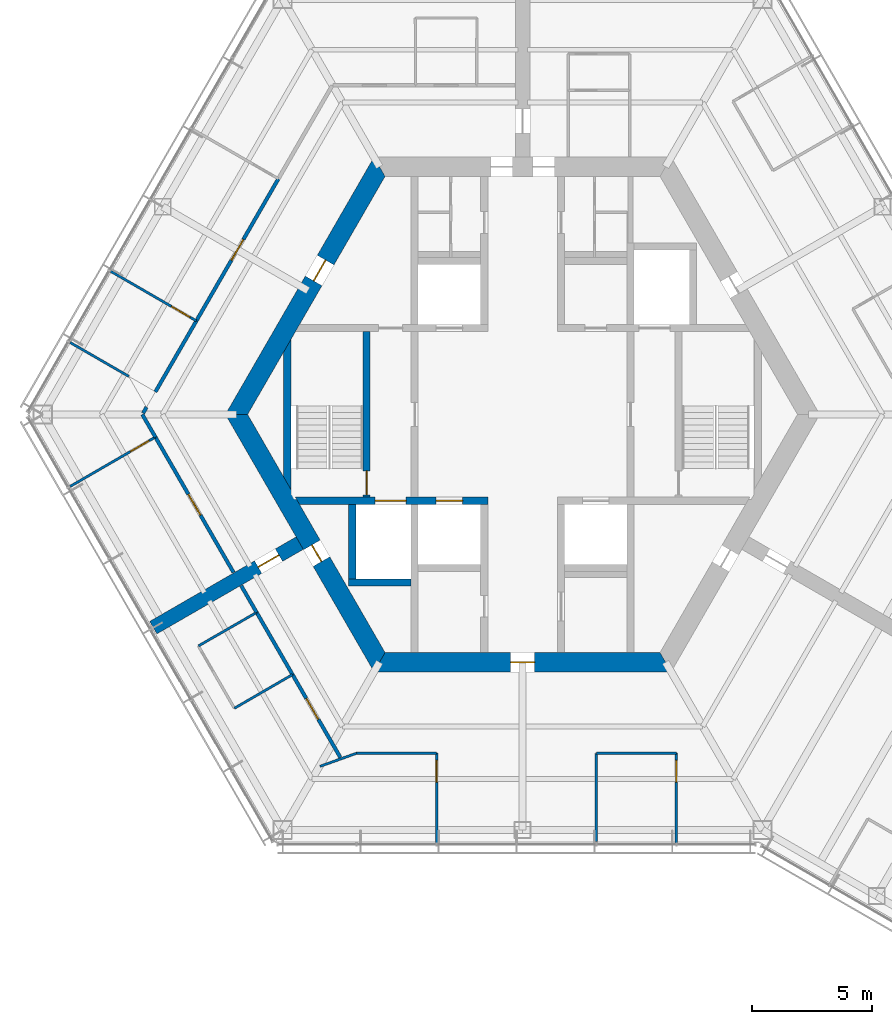
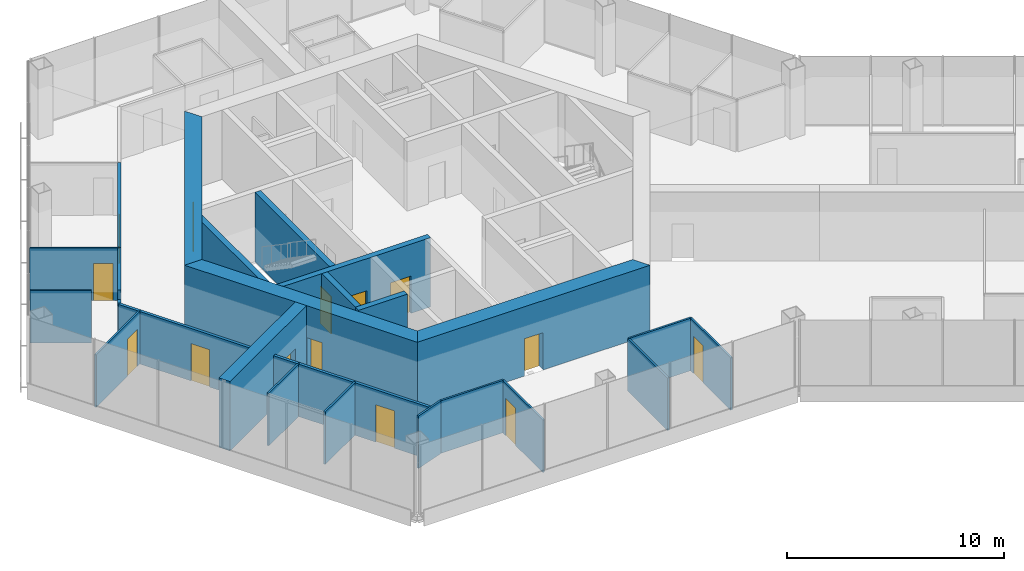
# One storey, part 10 of 16: 28 walls, 14 doors, 14 openings.
"""IFC4 building model written with IfcOpenShell, lengths in metres."""

from ifc_helpers import new_model, si_unit, direction, frame, frame_2d, origin, place, context, subcontext, project, spatial, polyline, rectangle, outline, extrude, material, layer, layer_set, type_object, element, fill, save


model = new_model("IFC4")

# Units and contexts
model_context = context("Model", 3, precision=1e-05, world=origin(), true_north=direction((0.0, 1.0)))
body_context = subcontext(model_context, "Body", "Model", "MODEL_VIEW")
ifc_project = project(units=[si_unit("LENGTHUNIT", "METRE"), si_unit("AREAUNIT", "SQUARE_METRE"), si_unit("VOLUMEUNIT", "CUBIC_METRE"), si_unit("PLANEANGLEUNIT", "RADIAN"), si_unit("MASSUNIT", "GRAM", prefix="KILO")], contexts=[model_context])

# Site, building, storey
site_placement = place(None, origin())
site = spatial("IfcSite", under=ifc_project, at=site_placement, CompositionType="ELEMENT")
building_placement = place(site_placement, origin())
building = spatial("IfcBuilding", under=site, at=building_placement, Name="Kasaneha Research Tower", CompositionType="ELEMENT")
storey_placement = place(building_placement, frame((0.0, 0.0, 255.699951171875)))
storey = spatial("IfcBuildingStorey", under=building, at=storey_placement, Name="L64", CompositionType="ELEMENT", Elevation=255.699951171875)

# Wall, openings, doors
ifc_material_1 = material(Name="Concrete Fc60", Category="concrete")
ifc_layer_1 = layer(ifc_material_1, 0.300048828125)
ifc_layer_set_1 = layer_set([ifc_layer_1], Name="Core internal wall 300 Fc60")
wall_type_1 = type_object("IfcWallType", Name="Core internal wall 300 Fc60", PredefinedType="SHEAR", material=ifc_layer_set_1)
wall_1_placement = place(storey_placement, frame((-9.3818359375, -3.60009765625, 0.0), z_axis=(0.0, 0.0, 1.0), x_axis=(1.0, 0.0, 0.0)))
wall_1 = element("IfcWall", 1, at=wall_1_placement, inside=storey, type_object=wall_type_1, Name="Core wall W2W L64", PredefinedType="SHEAR", context=body_context, shape_type="SweptSolid", body=[
    extrude(outline(polyline([(0.086669921875, -0.14990234375), (3.23193359375, -0.14990234375), (4.531982421875, -0.14990234375), (5.781982421875, -0.14990234375), (6.882080078125, -0.14990234375), (7.931884765625, -0.14990234375), (7.931884765625, 0.14990234375), (6.882080078125, 0.14990234375), (5.781982421875, 0.14990234375), (4.531982421875, 0.14990234375), (3.23193359375, 0.14990234375), (-0.086669921875, 0.14990234375), (0.086669921875, -0.14990234375)])), origin(), (0.0, 0.0, 1.0), 3.900146484375),
])
opening_1_placement = place(wall_1_placement, frame((5.781982421875, 0.0, 0.0)))
opening_1 = element("IfcOpeningElement", 2, at=opening_1_placement, cuts=wall_1, Name="Opening LD-LH1-L64", PredefinedType="OPENING", context=body_context, shape_type="SweptSolid", body=[
    extrude(rectangle(XDim=1.10009765625, YDim=2.10009765625, at=frame_2d((0.550048828125, 1.050048828125))), frame((0.0, 0.16015625, 0.0), z_axis=(0.0, -1.0, 0.0), x_axis=(1.0, 0.0, 0.0)), (0.0, 0.0, 1.0), 0.320068359375),
])
opening_2_placement = place(wall_1_placement, frame((3.23193359375, 0.0, 0.0)))
opening_2 = element("IfcOpeningElement", 3, at=opening_2_placement, cuts=wall_1, Name="Opening LD-FL2-L64", PredefinedType="OPENING", context=body_context, shape_type="SweptSolid", body=[
    extrude(rectangle(XDim=1.300048828125, YDim=2.10009765625, at=frame_2d((0.64990234375, 1.050048828125))), frame((0.0, 0.16015625, 0.0), z_axis=(0.0, -1.0, 0.0), x_axis=(1.0, 0.0, 0.0)), (0.0, 0.0, 1.0), 0.320068359375),
])
ifc_material_2 = material(Name="Steel", Category="steel")
door_type_1 = type_object("IfcDoorType", Name="Lift landing door 1100x2100", OperationType="DOUBLE_DOOR_SLIDING", PredefinedType="DOOR", material=ifc_material_2)
door_1_placement = place(opening_1_placement, origin())
door_1 = element("IfcDoor", 4, at=door_1_placement, inside=storey, type_object=door_type_1, Name="Landing door LH1 LD-LH1-L64", OperationType="DOUBLE_DOOR_SLIDING", OverallHeight=2.10009765625, OverallWidth=1.10009765625, PredefinedType="DOOR", context=body_context, shape_type="SweptSolid", body=[
    extrude(rectangle(XDim=1.10009765625, YDim=2.10009765625, at=frame_2d((0.550048828125, 1.050048828125))), frame((0.0, 0.02490234375, 0.0), z_axis=(0.0, -1.0, 0.0), x_axis=(1.0, 0.0, 0.0)), (0.0, 0.0, 1.0), 0.050048828125),
])
fill(opening_1, door_1)
ifc_material_3 = material(Name="Steel", Category="steel")
door_type_2 = type_object("IfcDoorType", Name="Lift landing door 1300x2100", OperationType="DOUBLE_DOOR_SLIDING", PredefinedType="DOOR", material=ifc_material_3)
door_2_placement = place(opening_2_placement, origin())
door_2 = element("IfcDoor", 5, at=door_2_placement, inside=storey, type_object=door_type_2, Name="Landing door FL2 LD-FL2-L64", OperationType="DOUBLE_DOOR_SLIDING", OverallHeight=2.10009765625, OverallWidth=1.300048828125, PredefinedType="DOOR", context=body_context, shape_type="SweptSolid", body=[
    extrude(rectangle(XDim=1.300048828125, YDim=2.10009765625, at=frame_2d((0.64990234375, 1.050048828125))), frame((0.0, 0.02490234375, 0.0), z_axis=(0.0, -1.0, 0.0), x_axis=(1.0, 0.0, 0.0)), (0.0, 0.0, 1.0), 0.050048828125),
])
fill(opening_2, door_2)

# Wall, opening, door
wall_2_placement = place(storey_placement, frame((-6.5, -3.449951171875, 0.0), z_axis=(0.0, 0.0, 1.0), x_axis=(0.0, 1.0, 0.0)))
wall_2 = element("IfcWall", 6, at=wall_2_placement, inside=storey, type_object=wall_type_1, Name="Core wall ANW L64", PredefinedType="SHEAR", context=body_context, shape_type="SweptSolid", body=[
    extrude(rectangle(XDim=6.89990234375, YDim=0.300048828125, at=frame_2d((3.449951171875, 0.0))), origin(), (0.0, 0.0, 1.0), 3.900146484375),
])
opening_3_placement = place(wall_2_placement, frame((0.10009765625, 0.0, 0.0)))
opening_3 = element("IfcOpeningElement", 7, at=opening_3_placement, cuts=wall_2, Name="Opening L64-D11", PredefinedType="OPENING", context=body_context, shape_type="SweptSolid", body=[
    extrude(rectangle(XDim=1.0, YDim=2.10009765625, at=frame_2d((0.5, 1.050048828125))), frame((0.0, 0.16015625, 0.0), z_axis=(0.0, -1.0, 0.0), x_axis=(1.0, 0.0, 0.0)), (0.0, 0.0, 1.0), 0.320068359375),
])
ifc_material_4 = material(Name="Steel", Category="steel")
door_type_3 = type_object("IfcDoorType", Name="Specified fire door FD60 1000x2100", OperationType="NOTDEFINED", PredefinedType="DOOR", material=ifc_material_4)
door_3_placement = place(opening_3_placement, origin())
door_3 = element("IfcDoor", 8, at=door_3_placement, inside=storey, type_object=door_type_3, Name="Stair 2 door L64-D11", OperationType="SINGLE_SWING_LEFT", OverallHeight=2.10009765625, OverallWidth=1.0, PredefinedType="DOOR", context=body_context, shape_type="SweptSolid", body=[
    extrude(rectangle(XDim=1.0, YDim=2.10009765625, at=frame_2d((0.5, 1.050048828125))), frame((0.0, 0.02490234375, 0.0), z_axis=(0.0, -1.0, 0.0), x_axis=(1.0, 0.0, 0.0)), (0.0, 0.0, 1.0), 0.050048828125),
])
fill(opening_3, door_3)

# Walls
wall_3_placement = place(storey_placement, frame((-7.25, -7.0, 0.0), z_axis=(0.0, 0.0, 1.0), x_axis=(1.0, 0.0, 0.0)))
element("IfcWall", 9, at=wall_3_placement, inside=storey, type_object=wall_type_1, Name="Core wall F2S L64", PredefinedType="SHEAR", context=body_context, shape_type="SweptSolid", body=[
    extrude(rectangle(XDim=2.60009765625, YDim=0.300048828125, at=frame_2d((1.300048828125, 0.0))), origin(), (0.0, 0.0, 1.0), 3.900146484375),
])
wall_4_placement = place(storey_placement, frame((-7.10009765625, -3.75, 0.0), z_axis=(0.0, 0.0, 1.0), x_axis=(0.0, -1.0, 0.0)))
element("IfcWall", 10, at=wall_4_placement, inside=storey, type_object=wall_type_1, Name="Core wall F2W L64", PredefinedType="SHEAR", context=body_context, shape_type="SweptSolid", body=[
    extrude(rectangle(XDim=3.10009765625, YDim=0.300048828125, at=frame_2d((1.550048828125, 0.0))), origin(), (0.0, 0.0, 1.0), 3.900146484375),
])
wall_5_placement = place(storey_placement, frame((-9.807861328125, -2.8623046875, 0.0), z_axis=(0.0, 0.0, 1.0), x_axis=(0.0, 1.0, 0.0)))
element("IfcWall", 11, at=wall_5_placement, inside=storey, type_object=wall_type_1, Name="Core wall STW L64", PredefinedType="SHEAR", context=body_context, shape_type="SweptSolid", body=[
    extrude(outline(polyline([(-0.259765625, -0.14990234375), (5.984375, -0.14990234375), (5.46484375, 0.14990234375), (0.259765625, 0.14990234375), (-0.259765625, -0.14990234375)])), origin(), (0.0, 0.0, 1.0), 3.900146484375),
])

# Wall, opening, door
ifc_material_5 = material(Name="Concrete Fc60", Category="concrete")
ifc_layer_2 = layer(ifc_material_5, 0.800048828125)
ifc_layer_set_2 = layer_set([ifc_layer_2], Name="Core wall 800 Fc60")
wall_type_2 = type_object("IfcWallType", Name="Core wall 800 Fc60", PredefinedType="SHEAR", material=ifc_layer_set_2)
wall_6_placement = place(storey_placement, frame((-5.961181640625, 10.324951171875, 0.0), z_axis=(0.0, 0.0, 1.0), x_axis=(-0.500004296715, -0.866022923061, 0.0)))
wall_6 = element("IfcWall", 12, at=wall_6_placement, inside=storey, type_object=wall_type_2, Name="Core wall 150 L64", PredefinedType="SHEAR", context=body_context, shape_type="SweptSolid", body=[
    extrude(outline(polyline([(-0.23095703125, -0.39990234375), (4.494140625, -0.39990234375), (5.494140625, -0.39990234375), (12.1533203125, -0.39990234375), (11.69140625, 0.39990234375), (5.494140625, 0.39990234375), (4.494140625, 0.39990234375), (0.23095703125, 0.39990234375), (-0.23095703125, -0.39990234375)])), origin(), (0.0, 0.0, 1.0), 3.900146484375),
])
opening_4_placement = place(wall_6_placement, frame((4.494140625, 0.0, 0.0)))
opening_4 = element("IfcOpeningElement", 13, at=opening_4_placement, cuts=wall_6, Name="Opening L64-D07", PredefinedType="OPENING", context=body_context, shape_type="SweptSolid", body=[
    extrude(rectangle(XDim=1.0, YDim=2.10009765625, at=frame_2d((0.5, 1.050048828125))), frame((0.0, 0.41015625, 0.0), z_axis=(0.0, -1.0, 0.0), x_axis=(1.0, 0.0, 0.0)), (0.0, 0.0, 1.0), 0.820068359375),
])
ifc_material_6 = material(Name="Steel", Category="steel")
door_type_4 = type_object("IfcDoorType", Name="Fire door FD20 1000x2100", OperationType="NOTDEFINED", PredefinedType="DOOR", material=ifc_material_6)
door_4_placement = place(opening_4_placement, origin())
door_4 = element("IfcDoor", 14, at=door_4_placement, inside=storey, type_object=door_type_4, Name="Vestibule door L64-D07", OperationType="SINGLE_SWING_LEFT", OverallHeight=2.10009765625, OverallWidth=1.0, PredefinedType="DOOR", context=body_context, shape_type="SweptSolid", body=[
    extrude(rectangle(XDim=1.0, YDim=2.10009765625, at=frame_2d((0.5, 1.050048828125))), frame((0.0, 0.02490234375, 0.0), z_axis=(0.0, -1.0, 0.0), x_axis=(1.0, 0.0, 0.0)), (0.0, 0.0, 1.0), 0.050048828125),
])
fill(opening_4, door_4)

wall_7_placement = place(storey_placement, frame((-11.92236328125, 0.0, 0.0), z_axis=(0.0, 0.0, 1.0), x_axis=(0.500004296715, -0.866022923061, 0.0)))
wall_7 = element("IfcWall", 15, at=wall_7_placement, inside=storey, type_object=wall_type_2, Name="Core wall 210 L64", PredefinedType="SHEAR", context=body_context, shape_type="SweptSolid", body=[
    extrude(outline(polyline([(-0.23095703125, -0.39990234375), (6.28125, -0.39990234375), (7.081298828125, -0.39990234375), (12.1533203125, -0.39990234375), (11.69140625, 0.39990234375), (7.081298828125, 0.39990234375), (6.28125, 0.39990234375), (0.23095703125, 0.39990234375), (-0.23095703125, -0.39990234375)])), origin(), (0.0, 0.0, 1.0), 3.900146484375),
])
opening_5_placement = place(wall_7_placement, frame((6.28125, 0.0, 0.0)))
opening_5 = element("IfcOpeningElement", 16, at=opening_5_placement, cuts=wall_7, Name="Opening L64-D06", PredefinedType="OPENING", context=body_context, shape_type="SweptSolid", body=[
    extrude(rectangle(XDim=0.800048828125, YDim=2.10009765625, at=frame_2d((0.39990234375, 1.050048828125))), frame((0.0, 0.41015625, 0.0), z_axis=(0.0, -1.0, 0.0), x_axis=(1.0, 0.0, 0.0)), (0.0, 0.0, 1.0), 0.820068359375),
])
ifc_material_7 = material(Name="Steel", Category="steel")
door_type_5 = type_object("IfcDoorType", Name="Riser access door FD60 800x2100", OperationType="NOTDEFINED", PredefinedType="DOOR", material=ifc_material_7)
door_5_placement = place(opening_5_placement, origin())
door_5 = element("IfcDoor", 17, at=door_5_placement, inside=storey, type_object=door_type_5, Name="Duct riser door L64-D06", OperationType="SINGLE_SWING_RIGHT", OverallHeight=2.10009765625, OverallWidth=0.800048828125, PredefinedType="DOOR", context=body_context, shape_type="SweptSolid", body=[
    extrude(rectangle(XDim=0.800048828125, YDim=2.10009765625, at=frame_2d((0.39990234375, 1.050048828125))), frame((0.0, 0.02490234375, 0.0), z_axis=(0.0, -1.0, 0.0), x_axis=(1.0, 0.0, 0.0)), (0.0, 0.0, 1.0), 0.050048828125),
])
fill(opening_5, door_5)

wall_8_placement = place(storey_placement, frame((-5.961181640625, -10.324951171875, 0.0), z_axis=(0.0, 0.0, 1.0), x_axis=(1.0, 0.0, 0.0)))
wall_8 = element("IfcWall", 18, at=wall_8_placement, inside=storey, type_object=wall_type_2, Name="Core wall 270 L64", PredefinedType="SHEAR", context=body_context, shape_type="SweptSolid", body=[
    extrude(outline(polyline([(-0.23095703125, -0.39990234375), (5.461181640625, -0.39990234375), (6.461181640625, -0.39990234375), (12.1533203125, -0.39990234375), (11.69140625, 0.39990234375), (6.461181640625, 0.39990234375), (5.461181640625, 0.39990234375), (0.23095703125, 0.39990234375), (-0.23095703125, -0.39990234375)])), origin(), (0.0, 0.0, 1.0), 3.900146484375),
])
opening_6_placement = place(wall_8_placement, frame((5.461181640625, 0.0, 0.0)))
opening_6 = element("IfcOpeningElement", 19, at=opening_6_placement, cuts=wall_8, Name="Opening L64-D03", PredefinedType="OPENING", context=body_context, shape_type="SweptSolid", body=[
    extrude(rectangle(XDim=1.0, YDim=2.10009765625, at=frame_2d((0.5, 1.050048828125))), frame((0.0, 0.41015625, 0.0), z_axis=(0.0, -1.0, 0.0), x_axis=(1.0, 0.0, 0.0)), (0.0, 0.0, 1.0), 0.820068359375),
])
door_6_placement = place(opening_6_placement, origin())
door_6 = element("IfcDoor", 20, at=door_6_placement, inside=storey, type_object=door_type_4, Name="Core door south L64-D03", OperationType="SINGLE_SWING_LEFT", OverallHeight=2.10009765625, OverallWidth=1.0, PredefinedType="DOOR", context=body_context, shape_type="SweptSolid", body=[
    extrude(rectangle(XDim=1.0, YDim=2.10009765625, at=frame_2d((0.5, 1.050048828125))), frame((0.0, 0.02490234375, 0.0), z_axis=(0.0, -1.0, 0.0), x_axis=(1.0, 0.0, 0.0)), (0.0, 0.0, 1.0), 0.050048828125),
])
fill(opening_6, door_6)

# Wall
ifc_material_8 = material(Name="Gypsum board on steel studs, one layer each side", Category="steel")
ifc_layer_3 = layer(ifc_material_8, 0.10009765625)
ifc_layer_set_3 = layer_set([ifc_layer_3], Name="Office partition 100")
wall_type_3 = type_object("IfcWallType", Name="Office partition 100", PredefinedType="PARTITIONING", material=ifc_layer_set_3)
wall_9_placement = place(storey_placement, frame((-16.4130859375, 1.58837890625, 0.0), z_axis=(0.0, 0.0, 1.0), x_axis=(-0.866019917734, 0.500009501998, 0.0)))
element("IfcWall", 21, at=wall_9_placement, inside=storey, type_object=wall_type_3, Name="Office partition FBN08 L64", PredefinedType="PARTITIONING", context=body_context, shape_type="SweptSolid", body=[
    extrude(rectangle(XDim=2.822265625, YDim=0.10009765625, at=frame_2d((1.4111328125, 0.0))), origin(), (0.0, 0.0, 1.0), 2.949951171875),
])

# Wall, opening, door
wall_10_placement = place(storey_placement, frame((-17.1708984375, 5.969970703125, 0.0), z_axis=(0.0, 0.0, 1.0), x_axis=(0.865450565099, -0.500994330677, 0.0)))
wall_10 = element("IfcWall", 22, at=wall_10_placement, inside=storey, type_object=wall_type_3, Name="Office partition FBN09 L64", PredefinedType="PARTITIONING", context=body_context, shape_type="SweptSolid", body=[
    extrude(rectangle(XDim=4.13037109375, YDim=0.10009765625, at=frame_2d((2.065185546875, 0.0))), origin(), (0.0, 0.0, 1.0), 2.949951171875),
])
opening_7_placement = place(wall_10_placement, frame((2.930419921875, 0.0, 0.0)))
opening_7 = element("IfcOpeningElement", 23, at=opening_7_placement, cuts=wall_10, Name="Opening L64-D35", PredefinedType="OPENING", context=body_context, shape_type="SweptSolid", body=[
    extrude(rectangle(XDim=0.89990234375, YDim=2.10009765625, at=frame_2d((0.449951171875, 1.050048828125))), frame((0.0, 0.06005859375, 0.0), z_axis=(0.0, -1.0, 0.0), x_axis=(1.0, 0.0, 0.0)), (0.0, 0.0, 1.0), 0.1201171875),
])
ifc_material_9 = material(Name="Timber veneer", Category="wood")
door_type_6 = type_object("IfcDoorType", Name="Office door 900x2100", OperationType="SINGLE_SWING_LEFT", PredefinedType="DOOR", material=ifc_material_9)
door_7_placement = place(opening_7_placement, origin())
door_7 = element("IfcDoor", 24, at=door_7_placement, inside=storey, type_object=door_type_6, Name="Executive office door L64-D35", OperationType="SINGLE_SWING_RIGHT", OverallHeight=2.10009765625, OverallWidth=0.89990234375, PredefinedType="DOOR", context=body_context, shape_type="SweptSolid", body=[
    extrude(rectangle(XDim=0.89990234375, YDim=2.10009765625, at=frame_2d((0.449951171875, 1.050048828125))), frame((0.0, 0.02490234375, 0.0), z_axis=(0.0, -1.0, 0.0), x_axis=(1.0, 0.0, 0.0)), (0.0, 0.0, 1.0), 0.050048828125),
])
fill(opening_7, door_7)

wall_11_placement = place(storey_placement, frame((-15.303955078125, -0.94287109375, 0.0), z_axis=(0.0, 0.0, 1.0), x_axis=(-0.865477851574, -0.500947191264, 0.0)))
wall_11 = element("IfcWall", 25, at=wall_11_placement, inside=storey, type_object=wall_type_3, Name="Office partition FBN10 L64", PredefinedType="PARTITIONING", context=body_context, shape_type="SweptSolid", body=[
    extrude(rectangle(XDim=4.10546875, YDim=0.10009765625, at=frame_2d((2.052734375, 0.0))), origin(), (0.0, 0.0, 1.0), 2.949951171875),
])
opening_8_placement = place(wall_11_placement, frame((0.300048828125, 0.0, 0.0)))
opening_8 = element("IfcOpeningElement", 26, at=opening_8_placement, cuts=wall_11, Name="Opening L64-D36", PredefinedType="OPENING", context=body_context, shape_type="SweptSolid", body=[
    extrude(rectangle(XDim=0.89990234375, YDim=2.10009765625, at=frame_2d((0.449951171875, 1.050048828125))), frame((0.0, 0.06005859375, 0.0), z_axis=(0.0, -1.0, 0.0), x_axis=(1.0, 0.0, 0.0)), (0.0, 0.0, 1.0), 0.1201171875),
])
door_8_placement = place(opening_8_placement, origin())
door_8 = element("IfcDoor", 27, at=door_8_placement, inside=storey, type_object=door_type_6, Name="Workroom door L64-D36", OperationType="SINGLE_SWING_LEFT", OverallHeight=2.10009765625, OverallWidth=0.89990234375, PredefinedType="DOOR", context=body_context, shape_type="SweptSolid", body=[
    extrude(rectangle(XDim=0.89990234375, YDim=2.10009765625, at=frame_2d((0.449951171875, 1.050048828125))), frame((0.0, 0.02490234375, 0.0), z_axis=(0.0, -1.0, 0.0), x_axis=(1.0, 0.0, 0.0)), (0.0, 0.0, 1.0), 0.050048828125),
])
fill(opening_8, door_8)

# Walls
for number, where, z_axis, x_axis, name in (
    (28, (-13.510986328125, -9.648193359375, 0.0), (0.0, 0.0, 1.0), (0.86679607088, 0.498662783358, 0.0), "Office partition FBS04 L64"),
    (29, (-9.58837890625, -10.84228515625, 0.0), (0.0, 0.0, 1.0), (-0.865233198925, -0.501369635576, 0.0), "Office partition FBS06 L64"),
):
    element("IfcWall", number, at=place(storey_placement, frame(where, z_axis=z_axis, x_axis=x_axis)), inside=storey, type_object=wall_type_3, Name=name, PredefinedType="PARTITIONING", context=body_context, shape_type="SweptSolid", body=[
        extrude(rectangle(XDim=2.800048828125, YDim=0.10009765625, at=frame_2d((1.39990234375, 0.0))), origin(), (0.0, 0.0, 1.0), 2.949951171875),
    ])
wall_12_placement = place(storey_placement, frame((-8.444580078125, -14.666748046875, 0.0), z_axis=(0.0, 0.0, 1.0), x_axis=(0.941476299389, 0.33707918608, 0.0)))
element("IfcWall", 30, at=wall_12_placement, inside=storey, type_object=wall_type_3, Name="Office partition FCS01 L64", PredefinedType="PARTITIONING", context=body_context, shape_type="SweptSolid", body=[
    extrude(rectangle(XDim=1.623779296875, YDim=0.10009765625, at=frame_2d((0.81201171875, 0.0))), origin(), (0.0, 0.0, 1.0), 2.949951171875),
])
wall_13_placement = place(storey_placement, frame((-6.915771484375, -14.119384765625, 0.0), z_axis=(0.0, 0.0, 1.0), x_axis=(0.999999932863, -0.000366434567, 0.0)))
element("IfcWall", 31, at=wall_13_placement, inside=storey, type_object=wall_type_3, Name="Office partition FCS02 L64", PredefinedType="PARTITIONING", context=body_context, shape_type="SweptSolid", body=[
    extrude(rectangle(XDim=3.331298828125, YDim=0.10009765625, at=frame_2d((1.66552734375, 0.0))), origin(), (0.0, 0.0, 1.0), 2.949951171875),
])

# Wall, opening, door
wall_14_placement = place(storey_placement, frame((-3.58447265625, -14.12060546875, 0.0), z_axis=(0.0, 0.0, 1.0), x_axis=(0.0, -1.0, 0.0)))
wall_14 = element("IfcWall", 32, at=wall_14_placement, inside=storey, type_object=wall_type_3, Name="Office partition FCS03 L64", PredefinedType="PARTITIONING", context=body_context, shape_type="SweptSolid", body=[
    extrude(rectangle(XDim=3.73486328125, YDim=0.10009765625, at=frame_2d((1.867431640625, 0.0))), origin(), (0.0, 0.0, 1.0), 2.949951171875),
])
opening_9_placement = place(wall_14_placement, frame((0.300048828125, 0.0, 0.0)))
opening_9 = element("IfcOpeningElement", 33, at=opening_9_placement, cuts=wall_14, Name="Opening L64-D41", PredefinedType="OPENING", context=body_context, shape_type="SweptSolid", body=[
    extrude(rectangle(XDim=0.89990234375, YDim=2.10009765625, at=frame_2d((0.449951171875, 1.050048828125))), frame((0.0, 0.06005859375, 0.0), z_axis=(0.0, -1.0, 0.0), x_axis=(1.0, 0.0, 0.0)), (0.0, 0.0, 1.0), 0.1201171875),
])
door_9_placement = place(opening_9_placement, origin())
door_9 = element("IfcDoor", 34, at=door_9_placement, inside=storey, type_object=door_type_6, Name="Executive office door L64-D41", OperationType="SINGLE_SWING_LEFT", OverallHeight=2.10009765625, OverallWidth=0.89990234375, PredefinedType="DOOR", context=body_context, shape_type="SweptSolid", body=[
    extrude(rectangle(XDim=0.89990234375, YDim=2.10009765625, at=frame_2d((0.449951171875, 1.050048828125))), frame((0.0, 0.02490234375, 0.0), z_axis=(0.0, -1.0, 0.0), x_axis=(1.0, 0.0, 0.0)), (0.0, 0.0, 1.0), 0.050048828125),
])
fill(opening_9, door_9)

# Walls
wall_15_placement = place(storey_placement, frame((3.077392578125, -17.800537109375, 0.0), z_axis=(0.0, 0.0, 1.0), x_axis=(0.0, 1.0, 0.0)))
element("IfcWall", 35, at=wall_15_placement, inside=storey, type_object=wall_type_3, Name="Office partition FCS04 L64", PredefinedType="PARTITIONING", context=body_context, shape_type="SweptSolid", body=[
    extrude(rectangle(XDim=3.679931640625, YDim=0.10009765625, at=frame_2d((1.83984375, 0.0))), origin(), (0.0, 0.0, 1.0), 2.949951171875),
])
wall_16_placement = place(storey_placement, frame((3.077392578125, -14.12060546875, 0.0), z_axis=(0.0, 0.0, 1.0), x_axis=(1.0, 0.0, 0.0)))
element("IfcWall", 36, at=wall_16_placement, inside=storey, type_object=wall_type_3, Name="Office partition FCS05 L64", PredefinedType="PARTITIONING", context=body_context, shape_type="SweptSolid", body=[
    extrude(rectangle(XDim=3.330810546875, YDim=0.10009765625, at=frame_2d((1.66552734375, 0.0))), origin(), (0.0, 0.0, 1.0), 2.949951171875),
])

# Wall, opening, door
wall_17_placement = place(storey_placement, frame((6.408203125, -14.12060546875, 0.0), z_axis=(0.0, 0.0, 1.0), x_axis=(0.0, -1.0, 0.0)))
wall_17 = element("IfcWall", 37, at=wall_17_placement, inside=storey, type_object=wall_type_3, Name="Office partition FCS06 L64", PredefinedType="PARTITIONING", context=body_context, shape_type="SweptSolid", body=[
    extrude(rectangle(XDim=3.73486328125, YDim=0.10009765625, at=frame_2d((1.867431640625, 0.0))), origin(), (0.0, 0.0, 1.0), 2.949951171875),
])
opening_10_placement = place(wall_17_placement, frame((0.300048828125, 0.0, 0.0)))
opening_10 = element("IfcOpeningElement", 38, at=opening_10_placement, cuts=wall_17, Name="Opening L64-D42", PredefinedType="OPENING", context=body_context, shape_type="SweptSolid", body=[
    extrude(rectangle(XDim=0.89990234375, YDim=2.10009765625, at=frame_2d((0.449951171875, 1.050048828125))), frame((0.0, 0.06005859375, 0.0), z_axis=(0.0, -1.0, 0.0), x_axis=(1.0, 0.0, 0.0)), (0.0, 0.0, 1.0), 0.1201171875),
])
door_10_placement = place(opening_10_placement, origin())
door_10 = element("IfcDoor", 39, at=door_10_placement, inside=storey, type_object=door_type_6, Name="Executive office door L64-D42", OperationType="SINGLE_SWING_LEFT", OverallHeight=2.10009765625, OverallWidth=0.89990234375, PredefinedType="DOOR", context=body_context, shape_type="SweptSolid", body=[
    extrude(rectangle(XDim=0.89990234375, YDim=2.10009765625, at=frame_2d((0.449951171875, 1.050048828125))), frame((0.0, 0.02490234375, 0.0), z_axis=(0.0, -1.0, 0.0), x_axis=(1.0, 0.0, 0.0)), (0.0, 0.0, 1.0), 0.050048828125),
])
fill(opening_10, door_10)

ifc_material_10 = material(Name="Concrete Fc60", Category="concrete")
ifc_layer_4 = layer(ifc_material_10, 0.60009765625)
ifc_layer_set_4 = layer_set([ifc_layer_4], Name="Spine wall 600 Fc60")
wall_type_4 = type_object("IfcWallType", Name="Spine wall 600 Fc60", PredefinedType="SHEAR", material=ifc_layer_set_4)
wall_18_placement = place(storey_placement, frame((-9.2880859375, -5.362548828125, 0.0), z_axis=(0.0, 0.0, 1.0), x_axis=(-0.866027473358, -0.499996415376, 0.0)))
wall_18 = element("IfcWall", 40, at=wall_18_placement, inside=storey, type_object=wall_type_4, Name="Spine wall B L64", PredefinedType="SHEAR", context=body_context, shape_type="SweptSolid", body=[
    extrude(rectangle(XDim=7.04541015625, YDim=0.60009765625, at=frame_2d((3.522705078125, 0.0))), origin(), (0.0, 0.0, 1.0), 3.900146484375),
])
opening_11_placement = place(wall_18_placement, frame((1.0, 0.0, 0.0)))
opening_11 = element("IfcOpeningElement", 41, at=opening_11_placement, cuts=wall_18, Name="Opening L64-D19", PredefinedType="OPENING", context=body_context, shape_type="SweptSolid", body=[
    extrude(rectangle(XDim=1.0, YDim=2.10009765625, at=frame_2d((0.5, 1.050048828125))), frame((0.0, 0.31005859375, 0.0), z_axis=(0.0, -1.0, 0.0), x_axis=(1.0, 0.0, 0.0)), (0.0, 0.0, 1.0), 0.6201171875),
])
door_11_placement = place(opening_11_placement, origin())
door_11 = element("IfcDoor", 42, at=door_11_placement, inside=storey, type_object=door_type_3, Name="Spine doorway B L64-D19", OperationType="SINGLE_SWING_LEFT", OverallHeight=2.10009765625, OverallWidth=1.0, PredefinedType="DOOR", context=body_context, shape_type="SweptSolid", body=[
    extrude(rectangle(XDim=1.0, YDim=2.10009765625, at=frame_2d((0.5, 1.050048828125))), frame((0.0, 0.02490234375, 0.0), z_axis=(0.0, -1.0, 0.0), x_axis=(1.0, 0.0, 0.0)), (0.0, 0.0, 1.0), 0.050048828125),
])
fill(opening_11, door_11)

# Walls
ifc_material_11 = material(Name="Gypsum board on steel studs, two layers each side", Category="steel")
ifc_layer_5 = layer(ifc_material_11, 0.14990234375)
ifc_layer_set_5 = layer_set([ifc_layer_5], Name="Suite partition 150")
wall_type_5 = type_object("IfcWallType", Name="Suite partition 150", PredefinedType="PARTITIONING", material=ifc_layer_set_5)
wall_19_placement = place(storey_placement, frame((-15.30419921875, 0.9423828125, 0.0), z_axis=(0.0, 0.0, 1.0), x_axis=(0.500032973541, 0.866006365664, 0.0)))
element("IfcWall", 43, at=wall_19_placement, inside=storey, type_object=wall_type_5, Name="Suite partition FBN02 L64", PredefinedType="PARTITIONING", context=body_context, shape_type="SweptSolid", body=[
    extrude(rectangle(XDim=3.425537109375, YDim=0.14990234375, at=frame_2d((1.712890625, 0.0))), origin(), (0.0, 0.0, 1.0), 2.949951171875),
])
wall_20_placement = place(storey_placement, frame((-15.81591796875, 0.056396484375, 0.0), z_axis=(0.0, 0.0, 1.0), x_axis=(0.500801637523, 0.865562083189, 0.0)))
element("IfcWall", 44, at=wall_20_placement, inside=storey, type_object=wall_type_5, Name="Suite partition FBN03 L64", PredefinedType="PARTITIONING", context=body_context, shape_type="SweptSolid", body=[
    extrude(rectangle(XDim=0.287109375, YDim=0.14990234375, at=frame_2d((0.1435546875, 0.0))), origin(), (0.0, 0.0, 1.0), 2.949951171875),
])
wall_21_placement = place(storey_placement, frame((-15.29931640625, -0.951171875, 0.0), z_axis=(0.0, 0.0, 1.0), x_axis=(-0.499940538003, 0.866059731463, 0.0)))
element("IfcWall", 45, at=wall_21_placement, inside=storey, type_object=wall_type_5, Name="Suite partition FBN04 L64", PredefinedType="PARTITIONING", context=body_context, shape_type="SweptSolid", body=[
    extrude(rectangle(XDim=1.098388671875, YDim=0.14990234375, at=frame_2d((0.54931640625, 0.0))), origin(), (0.0, 0.0, 1.0), 2.949951171875),
])

# Wall, opening, door
wall_22_placement = place(storey_placement, frame((-13.59619140625, 3.900634765625, 0.0), z_axis=(0.0, 0.0, 1.0), x_axis=(0.499993318678, 0.866029261213, 0.0)))
wall_22 = element("IfcWall", 46, at=wall_22_placement, inside=storey, type_object=wall_type_5, Name="Suite partition FBN05 L64", PredefinedType="PARTITIONING", context=body_context, shape_type="SweptSolid", body=[
    extrude(rectangle(XDim=6.83984375, YDim=0.14990234375, at=frame_2d((3.419921875, 0.0))), origin(), (0.0, 0.0, 1.0), 2.949951171875),
])
opening_12_placement = place(wall_22_placement, frame((2.919921875, 0.0, 0.0)))
opening_12 = element("IfcOpeningElement", 47, at=opening_12_placement, cuts=wall_22, Name="Opening L64-D32", PredefinedType="OPENING", context=body_context, shape_type="SweptSolid", body=[
    extrude(rectangle(XDim=1.0, YDim=2.10009765625, at=frame_2d((0.5, 1.050048828125))), frame((0.0, 0.0849609375, 0.0), z_axis=(0.0, -1.0, 0.0), x_axis=(1.0, 0.0, 0.0)), (0.0, 0.0, 1.0), 0.169921875),
])
ifc_material_12 = material(Name="Steel", Category="steel")
door_type_7 = type_object("IfcDoorType", Name="Suite entrance door FD60 1000x2100", OperationType="NOTDEFINED", PredefinedType="DOOR", material=ifc_material_12)
door_12_placement = place(opening_12_placement, origin())
door_12 = element("IfcDoor", 48, at=door_12_placement, inside=storey, type_object=door_type_7, Name="Suite entrance door L64-D32", OperationType="SINGLE_SWING_RIGHT", OverallHeight=2.10009765625, OverallWidth=1.0, PredefinedType="DOOR", context=body_context, shape_type="SweptSolid", body=[
    extrude(rectangle(XDim=1.0, YDim=2.10009765625, at=frame_2d((0.5, 1.050048828125))), frame((0.0, 0.02490234375, 0.0), z_axis=(0.0, -1.0, 0.0), x_axis=(1.0, 0.0, 0.0)), (0.0, 0.0, 1.0), 0.050048828125),
])
fill(opening_12, door_12)

wall_23_placement = place(storey_placement, frame((-12.046142578125, -6.58544921875, 0.0), z_axis=(0.0, 0.0, 1.0), x_axis=(-0.500007885066, 0.866020851292, 0.0)))
wall_23 = element("IfcWall", 49, at=wall_23_placement, inside=storey, type_object=wall_type_5, Name="Suite partition FBN06 L64", PredefinedType="PARTITIONING", context=body_context, shape_type="SweptSolid", body=[
    extrude(rectangle(XDim=6.515625, YDim=0.14990234375, at=frame_2d((3.2578125, 0.0))), origin(), (0.0, 0.0, 1.0), 2.949951171875),
])
opening_13_placement = place(wall_23_placement, frame((2.7578125, 0.0, 0.0)))
opening_13 = element("IfcOpeningElement", 50, at=opening_13_placement, cuts=wall_23, Name="Opening L64-D33", PredefinedType="OPENING", context=body_context, shape_type="SweptSolid", body=[
    extrude(rectangle(XDim=1.0, YDim=2.10009765625, at=frame_2d((0.5, 1.050048828125))), frame((0.0, 0.0849609375, 0.0), z_axis=(0.0, -1.0, 0.0), x_axis=(1.0, 0.0, 0.0)), (0.0, 0.0, 1.0), 0.169921875),
])
door_13_placement = place(opening_13_placement, origin())
door_13 = element("IfcDoor", 51, at=door_13_placement, inside=storey, type_object=door_type_7, Name="Suite entrance door L64-D33", OperationType="SINGLE_SWING_RIGHT", OverallHeight=2.10009765625, OverallWidth=1.0, PredefinedType="DOOR", context=body_context, shape_type="SweptSolid", body=[
    extrude(rectangle(XDim=1.0, YDim=2.10009765625, at=frame_2d((0.5, 1.050048828125))), frame((0.0, 0.02490234375, 0.0), z_axis=(0.0, -1.0, 0.0), x_axis=(1.0, 0.0, 0.0)), (0.0, 0.0, 1.0), 0.050048828125),
])
fill(opening_13, door_13)

# Walls
wall_24_placement = place(storey_placement, frame((-9.583740234375, -10.8505859375, 0.0), z_axis=(0.0, 0.0, 1.0), x_axis=(-0.499977562641, 0.866038357612, 0.0)))
element("IfcWall", 52, at=wall_24_placement, inside=storey, type_object=wall_type_5, Name="Suite partition FBS01 L64", PredefinedType="PARTITIONING", context=body_context, shape_type="SweptSolid", body=[
    extrude(rectangle(XDim=3.010009765625, YDim=0.14990234375, at=frame_2d((1.5048828125, 0.0))), origin(), (0.0, 0.0, 1.0), 2.949951171875),
])
wall_25_placement = place(storey_placement, frame((-11.083984375, -8.251953125, 0.0), z_axis=(0.0, 0.0, 1.0), x_axis=(-0.500084415177, 0.865976661173, 0.0)))
element("IfcWall", 53, at=wall_25_placement, inside=storey, type_object=wall_type_5, Name="Suite partition FBS02 L64", PredefinedType="PARTITIONING", context=body_context, shape_type="SweptSolid", body=[
    extrude(rectangle(XDim=1.284423828125, YDim=0.14990234375, at=frame_2d((0.64208984375, 0.0))), origin(), (0.0, 0.0, 1.0), 2.949951171875),
])

# Wall, opening, door
wall_26_placement = place(storey_placement, frame((-7.59326171875, -14.29833984375, 0.0), z_axis=(0.0, 0.0, 1.0), x_axis=(-0.499955472713, 0.866051110099, 0.0)))
wall_26 = element("IfcWall", 54, at=wall_26_placement, inside=storey, type_object=wall_type_5, Name="Suite partition FBS03 L64", PredefinedType="PARTITIONING", context=body_context, shape_type="SweptSolid", body=[
    extrude(rectangle(XDim=3.990478515625, YDim=0.14990234375, at=frame_2d((1.9951171875, 0.0))), origin(), (0.0, 0.0, 1.0), 2.949951171875),
])
opening_14_placement = place(wall_26_placement, frame((1.837890625, 0.0, 0.0)))
opening_14 = element("IfcOpeningElement", 55, at=opening_14_placement, cuts=wall_26, Name="Opening L64-D37", PredefinedType="OPENING", context=body_context, shape_type="SweptSolid", body=[
    extrude(rectangle(XDim=1.0, YDim=2.10009765625, at=frame_2d((0.5, 1.050048828125))), frame((0.0, 0.0849609375, 0.0), z_axis=(0.0, -1.0, 0.0), x_axis=(1.0, 0.0, 0.0)), (0.0, 0.0, 1.0), 0.169921875),
])
door_14_placement = place(opening_14_placement, origin())
door_14 = element("IfcDoor", 56, at=door_14_placement, inside=storey, type_object=door_type_7, Name="Suite entrance door L64-D37", OperationType="SINGLE_SWING_RIGHT", OverallHeight=2.10009765625, OverallWidth=1.0, PredefinedType="DOOR", context=body_context, shape_type="SweptSolid", body=[
    extrude(rectangle(XDim=1.0, YDim=2.10009765625, at=frame_2d((0.5, 1.050048828125))), frame((0.0, 0.02490234375, 0.0), z_axis=(0.0, -1.0, 0.0), x_axis=(1.0, 0.0, 0.0)), (0.0, 0.0, 1.0), 0.050048828125),
])
fill(opening_14, door_14)

save(model, "model.ifc")
